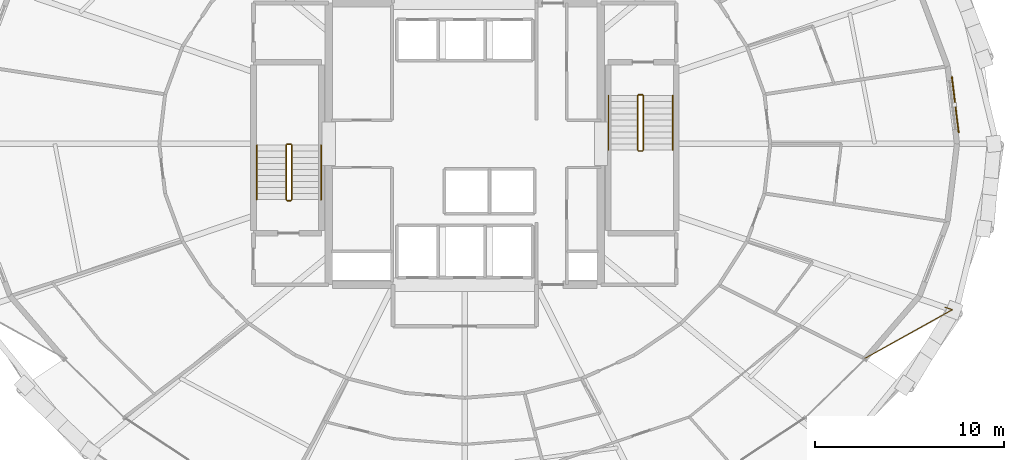
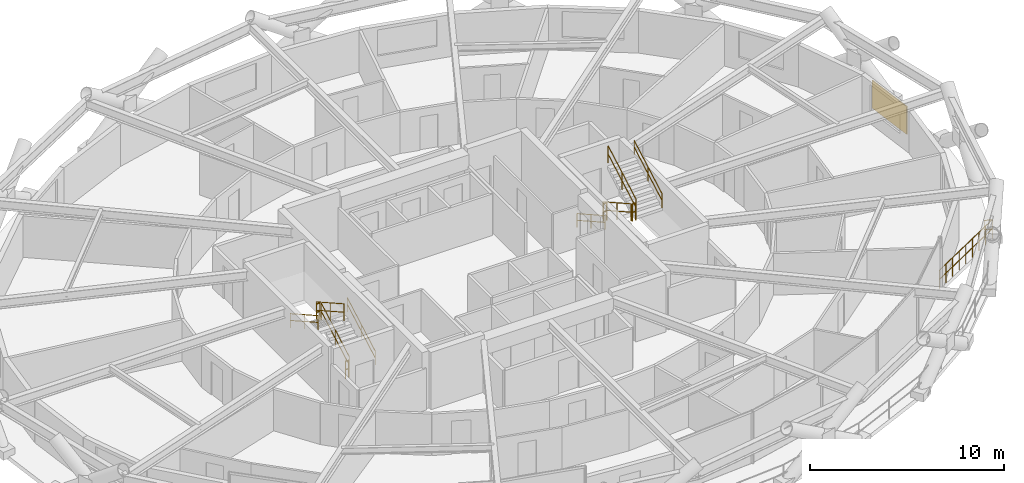
# One storey, part 18 of 18: 13 railings, 1 shading device.
"""IFC4 building model written with IfcOpenShell, lengths in metres."""

from ifc_helpers import new_model, si_unit, direction, frame, origin, origin_2d, place, context, subcontext, project, spatial, rectangle, circle, extrude, material, layer, layer_set, type_object, element, save


model = new_model("IFC4")

# Units and contexts
model_context = context("Model", 3, precision=1e-05, world=origin(), true_north=direction((0.0, 1.0)))
body_context = subcontext(model_context, "Body", "Model", "MODEL_VIEW")
ifc_project = project(units=[si_unit("LENGTHUNIT", "METRE"), si_unit("AREAUNIT", "SQUARE_METRE"), si_unit("VOLUMEUNIT", "CUBIC_METRE"), si_unit("PLANEANGLEUNIT", "RADIAN"), si_unit("MASSUNIT", "GRAM", prefix="KILO")], contexts=[model_context])

# Site, building, storey
site_placement = place(None, origin())
site = spatial("IfcSite", under=ifc_project, at=site_placement, CompositionType="ELEMENT")
building_placement = place(site_placement, origin())
building = spatial("IfcBuilding", under=site, at=building_placement, Name="Veldorina Hangang Commons", CompositionType="ELEMENT")
storey_placement = place(building_placement, frame((0.0, 0.0, 41.199951171875)))
storey = spatial("IfcBuildingStorey", under=building, at=storey_placement, Name="L09", CompositionType="ELEMENT", Elevation=41.199951171875)

# Railings
ifc_material_1 = material(Name="Glass Laminated Safety Balustrade", Category="glass")
railing_type_1 = type_object("IfcRailingType", Name="RL-BAL-LOGGIA", PredefinedType="BALUSTRADE", material=ifc_material_1)
railing_1_placement = place(storey_placement, frame((57.39111328125, 15.361083984375, 0.0)))
element("IfcRailing", 1, at=railing_1_placement, inside=storey, type_object=railing_type_1, Name="L09 sky-garden loggia end balustrade B", PredefinedType="BALUSTRADE", context=body_context, shape_type="SweptSolid", body=[
    extrude(circle(Radius=0.02392578125, at=origin_2d()), frame((0.0, 0.0, 1.17578125), z_axis=(0.946747944292, -0.321975666751, 0.0), x_axis=(0.321975666751, 0.946747944292, 0.0)), (0.0, 0.0, 1.0), 0.420166015625),
    extrude(circle(Radius=0.02392578125, at=origin_2d()), frame((0.0, 0.0, 0.60009765625), z_axis=(0.946747944292, -0.321975666751, 0.0), x_axis=(0.321975666751, 0.946747944292, 0.0)), (0.0, 0.0, 1.0), 0.420166015625),
    extrude(circle(Radius=0.02392578125, at=origin_2d()), frame((0.397705078125, -0.13525390625, 1.17578125), z_axis=(-0.873870962413, -0.486157938382, 0.0), x_axis=(0.486157938382, -0.873870962413, 0.0)), (0.0, 0.0, 1.0), 5.31201171875),
    extrude(circle(Radius=0.02392578125, at=origin_2d()), frame((0.397705078125, -0.13525390625, 0.60009765625), z_axis=(-0.873870962413, -0.486157938382, 0.0), x_axis=(0.486157938382, -0.873870962413, 0.0)), (0.0, 0.0, 1.0), 5.31201171875),
    extrude(circle(Radius=0.02099609375, at=origin_2d()), origin(), (0.0, 0.0, 1.0), 1.15185546875),
    extrude(circle(Radius=0.02099609375, at=origin_2d()), frame((0.397705078125, -0.13525390625, 0.0)), (0.0, 0.0, 1.0), 1.15185546875),
    extrude(circle(Radius=0.02099609375, at=origin_2d()), frame((-0.1826171875, -0.4580078125, 0.0)), (0.0, 0.0, 1.0), 1.15185546875),
    extrude(circle(Radius=0.02099609375, at=origin_2d()), frame((-0.7626953125, -0.78076171875, 0.0)), (0.0, 0.0, 1.0), 1.15185546875),
    extrude(circle(Radius=0.02099609375, at=origin_2d()), frame((-1.343017578125, -1.103759765625, 0.0)), (0.0, 0.0, 1.0), 1.15185546875),
    extrude(circle(Radius=0.02099609375, at=origin_2d()), frame((-1.92333984375, -1.426513671875, 0.0)), (0.0, 0.0, 1.0), 1.15185546875),
    extrude(circle(Radius=0.02099609375, at=origin_2d()), frame((-2.503662109375, -1.749267578125, 0.0)), (0.0, 0.0, 1.0), 1.15185546875),
    extrude(circle(Radius=0.02099609375, at=origin_2d()), frame((-3.083984375, -2.072265625, 0.0)), (0.0, 0.0, 1.0), 1.15185546875),
    extrude(circle(Radius=0.02099609375, at=origin_2d()), frame((-3.6640625, -2.39501953125, 0.0)), (0.0, 0.0, 1.0), 1.15185546875),
    extrude(circle(Radius=0.02099609375, at=origin_2d()), frame((-4.244384765625, -2.7177734375, 0.0)), (0.0, 0.0, 1.0), 1.15185546875),
])
ifc_material_2 = material(Name="Steel Painted Balustrade", Category="steel")
railing_type_2 = type_object("IfcRailingType", Name="RL-GRD-STAIR", PredefinedType="GUARDRAIL", material=ifc_material_2)
railing_2_placement = place(storey_placement, frame((22.85009765625, 21.050048828125, 0.179931640625)))
element("IfcRailing", 2, at=railing_2_placement, inside=storey, type_object=railing_type_2, Name="L09 ST-1 stair guard 1", PredefinedType="GUARDRAIL", context=body_context, shape_type="SweptSolid", body=[
    extrude(circle(Radius=0.02392578125, at=origin_2d()), frame((0.0, 0.0, 1.076171875), z_axis=(0.0, 0.87155185771, 0.490303333991), x_axis=(-1.0, 0.0, 0.0)), (0.0, 0.0, 1.0), 3.30419921875),
    extrude(circle(Radius=0.02392578125, at=origin_2d()), frame((0.0, 0.0, 0.550048828125), z_axis=(0.0, 0.87155185771, 0.490303333991), x_axis=(-1.0, 0.0, 0.0)), (0.0, 0.0, 1.0), 3.30419921875),
    extrude(circle(Radius=0.02099609375, at=origin_2d()), origin(), (0.0, 0.0, 1.0), 1.052001953125),
    extrude(circle(Radius=0.02099609375, at=origin_2d()), frame((0.0, 1.43994140625, 0.81005859375)), (0.0, 0.0, 1.0), 1.052001953125),
    extrude(circle(Radius=0.02099609375, at=origin_2d()), frame((0.0, 2.8798828125, 1.6201171875)), (0.0, 0.0, 1.0), 1.052001953125),
])
railing_3_placement = place(storey_placement, frame((22.800048828125, 23.97998046875, 1.800048828125)))
element("IfcRailing", 3, at=railing_3_placement, inside=storey, type_object=railing_type_2, Name="L09 ST-1 stair guard 2", PredefinedType="GUARDRAIL", context=body_context, shape_type="SweptSolid", body=[
    extrude(circle(Radius=0.02392578125, at=origin_2d()), frame((0.0, 0.0, 1.076171875), z_axis=(-1.0, 0.0, 0.0), x_axis=(0.0, -1.0, 0.0)), (0.0, 0.0, 1.0), 0.199951171875),
    extrude(circle(Radius=0.02392578125, at=origin_2d()), frame((0.0, 0.0, 0.550048828125), z_axis=(-1.0, 0.0, 0.0), x_axis=(0.0, -1.0, 0.0)), (0.0, 0.0, 1.0), 0.199951171875),
    extrude(circle(Radius=0.02099609375, at=origin_2d()), origin(), (0.0, 0.0, 1.0), 1.052001953125),
    extrude(circle(Radius=0.02099609375, at=origin_2d()), frame((-0.199951171875, 0.0, 0.0)), (0.0, 0.0, 1.0), 1.052001953125),
])
railing_4_placement = place(storey_placement, frame((22.550048828125, 23.929931640625, 1.97998046875)))
element("IfcRailing", 4, at=railing_4_placement, inside=storey, type_object=railing_type_2, Name="L09 ST-1 stair guard 3", PredefinedType="GUARDRAIL", context=body_context, shape_type="SweptSolid", body=[
    extrude(circle(Radius=0.02392578125, at=origin_2d()), frame((0.0, 0.0, 1.076171875), z_axis=(0.0, -0.87155185771, 0.490303333991), x_axis=(1.0, 0.0, 0.0)), (0.0, 0.0, 1.0), 3.30419921875),
    extrude(circle(Radius=0.02392578125, at=origin_2d()), frame((0.0, 0.0, 0.550048828125), z_axis=(0.0, -0.87155185771, 0.490303333991), x_axis=(1.0, 0.0, 0.0)), (0.0, 0.0, 1.0), 3.30419921875),
    extrude(circle(Radius=0.02099609375, at=origin_2d()), origin(), (0.0, 0.0, 1.0), 1.052001953125),
    extrude(circle(Radius=0.02099609375, at=origin_2d()), frame((0.0, -1.43994140625, 0.81005859375)), (0.0, 0.0, 1.0), 1.052001953125),
    extrude(circle(Radius=0.02099609375, at=origin_2d()), frame((0.0, -2.8798828125, 1.6201171875)), (0.0, 0.0, 1.0), 1.052001953125),
])
railing_5_placement = place(storey_placement, frame((22.800048828125, 21.0, 0.0)))
element("IfcRailing", 5, at=railing_5_placement, inside=storey, type_object=railing_type_2, Name="L09 ST-1 stair guard 4", PredefinedType="GUARDRAIL", context=body_context, shape_type="SweptSolid", body=[
    extrude(circle(Radius=0.02392578125, at=origin_2d()), frame((0.0, 0.0, 1.076171875), z_axis=(-1.0, 0.0, 0.0), x_axis=(0.0, -1.0, 0.0)), (0.0, 0.0, 1.0), 0.199951171875),
    extrude(circle(Radius=0.02392578125, at=origin_2d()), frame((0.0, 0.0, 0.550048828125), z_axis=(-1.0, 0.0, 0.0), x_axis=(0.0, -1.0, 0.0)), (0.0, 0.0, 1.0), 0.199951171875),
    extrude(circle(Radius=0.02099609375, at=origin_2d()), origin(), (0.0, 0.0, 1.0), 1.052001953125),
    extrude(circle(Radius=0.02099609375, at=origin_2d()), frame((-0.199951171875, 0.0, 0.0)), (0.0, 0.0, 1.0), 1.052001953125),
])
railing_6_placement = place(storey_placement, frame((41.14990234375, 26.550048828125, 0.179931640625)))
element("IfcRailing", 6, at=railing_6_placement, inside=storey, type_object=railing_type_2, Name="L09 ST-2 stair guard 1", PredefinedType="GUARDRAIL", context=body_context, shape_type="SweptSolid", body=[
    extrude(circle(Radius=0.02392578125, at=origin_2d()), frame((0.0, 0.0, 1.076171875), z_axis=(0.0, -0.871569617843, 0.490271762652), x_axis=(1.0, 0.0, 0.0)), (0.0, 0.0, 1.0), 3.304443359375),
    extrude(circle(Radius=0.02392578125, at=origin_2d()), frame((0.0, 0.0, 0.550048828125), z_axis=(0.0, -0.871569617843, 0.490271762652), x_axis=(1.0, 0.0, 0.0)), (0.0, 0.0, 1.0), 3.304443359375),
    extrude(circle(Radius=0.02099609375, at=origin_2d()), origin(), (0.0, 0.0, 1.0), 1.052001953125),
    extrude(circle(Radius=0.02099609375, at=origin_2d()), frame((0.0, -1.43994140625, 0.81005859375)), (0.0, 0.0, 1.0), 1.052001953125),
    extrude(circle(Radius=0.02099609375, at=origin_2d()), frame((0.0, -2.880126953125, 1.6201171875)), (0.0, 0.0, 1.0), 1.052001953125),
])
railing_7_placement = place(storey_placement, frame((41.199951171875, 23.6201171875, 1.800048828125)))
element("IfcRailing", 7, at=railing_7_placement, inside=storey, type_object=railing_type_2, Name="L09 ST-2 stair guard 2", PredefinedType="GUARDRAIL", context=body_context, shape_type="SweptSolid", body=[
    extrude(circle(Radius=0.02392578125, at=origin_2d()), frame((0.0, 0.0, 1.076171875), z_axis=(1.0, 0.0, 0.0), x_axis=(0.0, 1.0, 0.0)), (0.0, 0.0, 1.0), 0.199951171875),
    extrude(circle(Radius=0.02392578125, at=origin_2d()), frame((0.0, 0.0, 0.550048828125), z_axis=(1.0, 0.0, 0.0), x_axis=(0.0, 1.0, 0.0)), (0.0, 0.0, 1.0), 0.199951171875),
    extrude(circle(Radius=0.02099609375, at=origin_2d()), origin(), (0.0, 0.0, 1.0), 1.052001953125),
    extrude(circle(Radius=0.02099609375, at=origin_2d()), frame((0.199951171875, 0.0, 0.0)), (0.0, 0.0, 1.0), 1.052001953125),
])
railing_8_placement = place(storey_placement, frame((41.449951171875, 23.669921875, 1.97998046875)))
element("IfcRailing", 8, at=railing_8_placement, inside=storey, type_object=railing_type_2, Name="L09 ST-2 stair guard 3", PredefinedType="GUARDRAIL", context=body_context, shape_type="SweptSolid", body=[
    extrude(circle(Radius=0.02392578125, at=origin_2d()), frame((0.0, 0.0, 1.076171875), z_axis=(0.0, 0.871569617843, 0.490271762652), x_axis=(-1.0, 0.0, 0.0)), (0.0, 0.0, 1.0), 3.304443359375),
    extrude(circle(Radius=0.02392578125, at=origin_2d()), frame((0.0, 0.0, 0.550048828125), z_axis=(0.0, 0.871569617843, 0.490271762652), x_axis=(-1.0, 0.0, 0.0)), (0.0, 0.0, 1.0), 3.304443359375),
    extrude(circle(Radius=0.02099609375, at=origin_2d()), origin(), (0.0, 0.0, 1.0), 1.052001953125),
    extrude(circle(Radius=0.02099609375, at=origin_2d()), frame((0.0, 1.43994140625, 0.81005859375)), (0.0, 0.0, 1.0), 1.052001953125),
    extrude(circle(Radius=0.02099609375, at=origin_2d()), frame((0.0, 2.880126953125, 1.6201171875)), (0.0, 0.0, 1.0), 1.052001953125),
])
railing_9_placement = place(storey_placement, frame((41.199951171875, 26.60009765625, 0.0)))
element("IfcRailing", 9, at=railing_9_placement, inside=storey, type_object=railing_type_2, Name="L09 ST-2 stair guard 4", PredefinedType="GUARDRAIL", context=body_context, shape_type="SweptSolid", body=[
    extrude(circle(Radius=0.02392578125, at=origin_2d()), frame((0.0, 0.0, 1.076171875), z_axis=(1.0, 0.0, 0.0), x_axis=(0.0, 1.0, 0.0)), (0.0, 0.0, 1.0), 0.199951171875),
    extrude(circle(Radius=0.02392578125, at=origin_2d()), frame((0.0, 0.0, 0.550048828125), z_axis=(1.0, 0.0, 0.0), x_axis=(0.0, 1.0, 0.0)), (0.0, 0.0, 1.0), 0.199951171875),
    extrude(circle(Radius=0.02099609375, at=origin_2d()), origin(), (0.0, 0.0, 1.0), 1.052001953125),
    extrude(circle(Radius=0.02099609375, at=origin_2d()), frame((0.199951171875, 0.0, 0.0)), (0.0, 0.0, 1.0), 1.052001953125),
])
ifc_material_3 = material(Name="Stainless Steel Brushed 316", Category="steel")
railing_type_3 = type_object("IfcRailingType", Name="RL-HND-STAIR", PredefinedType="HANDRAIL", material=ifc_material_3)
railing_10_placement = place(storey_placement, frame((24.39990234375, 21.050048828125, 0.179931640625)))
element("IfcRailing", 10, at=railing_10_placement, inside=storey, type_object=railing_type_3, Name="L09 ST-1 stair handrail 1", PredefinedType="HANDRAIL", context=body_context, shape_type="SweptSolid", body=[
    extrude(circle(Radius=0.02392578125, at=origin_2d()), frame((0.0, 0.0, 0.8759765625), z_axis=(0.0, 0.87155185771, 0.490303333991), x_axis=(-1.0, 0.0, 0.0)), (0.0, 0.0, 1.0), 3.30419921875),
    extrude(circle(Radius=0.02392578125, at=origin_2d()), frame((0.0, 0.0, 0.449951171875), z_axis=(0.0, 0.87155185771, 0.490303333991), x_axis=(-1.0, 0.0, 0.0)), (0.0, 0.0, 1.0), 3.30419921875),
    extrude(circle(Radius=0.02099609375, at=origin_2d()), origin(), (0.0, 0.0, 1.0), 0.851806640625),
    extrude(circle(Radius=0.02099609375, at=origin_2d()), frame((0.0, 1.43994140625, 0.81005859375)), (0.0, 0.0, 1.0), 0.851806640625),
    extrude(circle(Radius=0.02099609375, at=origin_2d()), frame((0.0, 2.8798828125, 1.6201171875)), (0.0, 0.0, 1.0), 0.851806640625),
])
railing_11_placement = place(storey_placement, frame((21.0, 23.929931640625, 1.97998046875)))
element("IfcRailing", 11, at=railing_11_placement, inside=storey, type_object=railing_type_3, Name="L09 ST-1 stair handrail 2", PredefinedType="HANDRAIL", context=body_context, shape_type="SweptSolid", body=[
    extrude(circle(Radius=0.02392578125, at=origin_2d()), frame((0.0, 0.0, 0.8759765625), z_axis=(0.0, -0.87155185771, 0.490303333991), x_axis=(1.0, 0.0, 0.0)), (0.0, 0.0, 1.0), 3.30419921875),
    extrude(circle(Radius=0.02392578125, at=origin_2d()), frame((0.0, 0.0, 0.449951171875), z_axis=(0.0, -0.87155185771, 0.490303333991), x_axis=(1.0, 0.0, 0.0)), (0.0, 0.0, 1.0), 3.30419921875),
    extrude(circle(Radius=0.02099609375, at=origin_2d()), origin(), (0.0, 0.0, 1.0), 0.851806640625),
    extrude(circle(Radius=0.02099609375, at=origin_2d()), frame((0.0, -1.43994140625, 0.81005859375)), (0.0, 0.0, 1.0), 0.851806640625),
    extrude(circle(Radius=0.02099609375, at=origin_2d()), frame((0.0, -2.8798828125, 1.6201171875)), (0.0, 0.0, 1.0), 0.851806640625),
])
railing_12_placement = place(storey_placement, frame((39.60009765625, 26.550048828125, 0.179931640625)))
element("IfcRailing", 12, at=railing_12_placement, inside=storey, type_object=railing_type_3, Name="L09 ST-2 stair handrail 1", PredefinedType="HANDRAIL", context=body_context, shape_type="SweptSolid", body=[
    extrude(circle(Radius=0.02392578125, at=origin_2d()), frame((0.0, 0.0, 0.8759765625), z_axis=(0.0, -0.871569617843, 0.490271762652), x_axis=(1.0, 0.0, 0.0)), (0.0, 0.0, 1.0), 3.304443359375),
    extrude(circle(Radius=0.02392578125, at=origin_2d()), frame((0.0, 0.0, 0.449951171875), z_axis=(0.0, -0.871569617843, 0.490271762652), x_axis=(1.0, 0.0, 0.0)), (0.0, 0.0, 1.0), 3.304443359375),
    extrude(circle(Radius=0.02099609375, at=origin_2d()), origin(), (0.0, 0.0, 1.0), 0.851806640625),
    extrude(circle(Radius=0.02099609375, at=origin_2d()), frame((0.0, -1.43994140625, 0.81005859375)), (0.0, 0.0, 1.0), 0.851806640625),
    extrude(circle(Radius=0.02099609375, at=origin_2d()), frame((0.0, -2.880126953125, 1.6201171875)), (0.0, 0.0, 1.0), 0.851806640625),
])
railing_13_placement = place(storey_placement, frame((43.0, 23.669921875, 1.97998046875)))
element("IfcRailing", 13, at=railing_13_placement, inside=storey, type_object=railing_type_3, Name="L09 ST-2 stair handrail 2", PredefinedType="HANDRAIL", context=body_context, shape_type="SweptSolid", body=[
    extrude(circle(Radius=0.02392578125, at=origin_2d()), frame((0.0, 0.0, 0.8759765625), z_axis=(0.0, 0.871569617843, 0.490271762652), x_axis=(-1.0, 0.0, 0.0)), (0.0, 0.0, 1.0), 3.304443359375),
    extrude(circle(Radius=0.02392578125, at=origin_2d()), frame((0.0, 0.0, 0.449951171875), z_axis=(0.0, 0.871569617843, 0.490271762652), x_axis=(-1.0, 0.0, 0.0)), (0.0, 0.0, 1.0), 3.304443359375),
    extrude(circle(Radius=0.02099609375, at=origin_2d()), origin(), (0.0, 0.0, 1.0), 0.851806640625),
    extrude(circle(Radius=0.02099609375, at=origin_2d()), frame((0.0, 1.43994140625, 0.81005859375)), (0.0, 0.0, 1.0), 0.851806640625),
    extrude(circle(Radius=0.02099609375, at=origin_2d()), frame((0.0, 2.880126953125, 1.6201171875)), (0.0, 0.0, 1.0), 0.851806640625),
])

# Shading device
ifc_material_4 = material(Name="Ceramic Glazed Terracotta", Category="masonry")
ifc_layer = layer(ifc_material_4, 0.06005859375)
ifc_layer_set = layer_set([ifc_layer], Name="Ceramic Glazed Terracotta")
shading_device_type = type_object("IfcShadingDeviceType", Name="SCR-CER-3000", PredefinedType="USERDEFINED", material=ifc_layer_set)
shading_device_placement = place(storey_placement, frame((57.944091796875, 26.0712890625, 0.75), z_axis=(0.0, 0.0, 1.0), x_axis=(-0.121020462224, 0.992650012705, 0.0)))
element("IfcShadingDevice", 14, at=shading_device_placement, inside=storey, type_object=shading_device_type, Name="L09 PERFORATED CERAMIC SOLAR SCREEN 00", ObjectType="SCREEN", PredefinedType="USERDEFINED", context=body_context, shape_type="SweptSolid", body=[
    extrude(rectangle(XDim=3.0, YDim=0.06005859375, at=origin_2d()), origin(), (0.0, 0.0, 1.0), 1.75),
])

save(model, "model.ifc")
